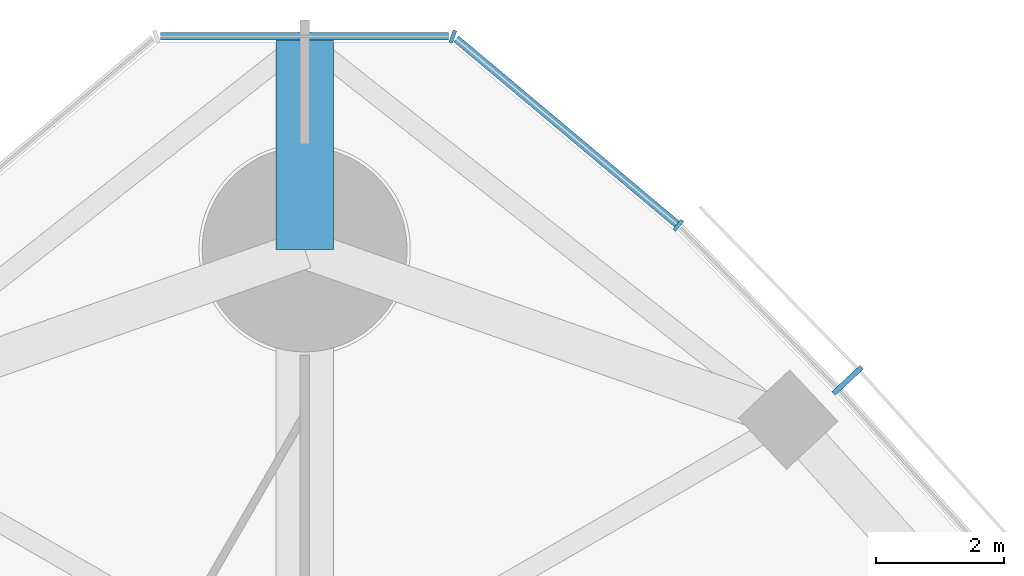
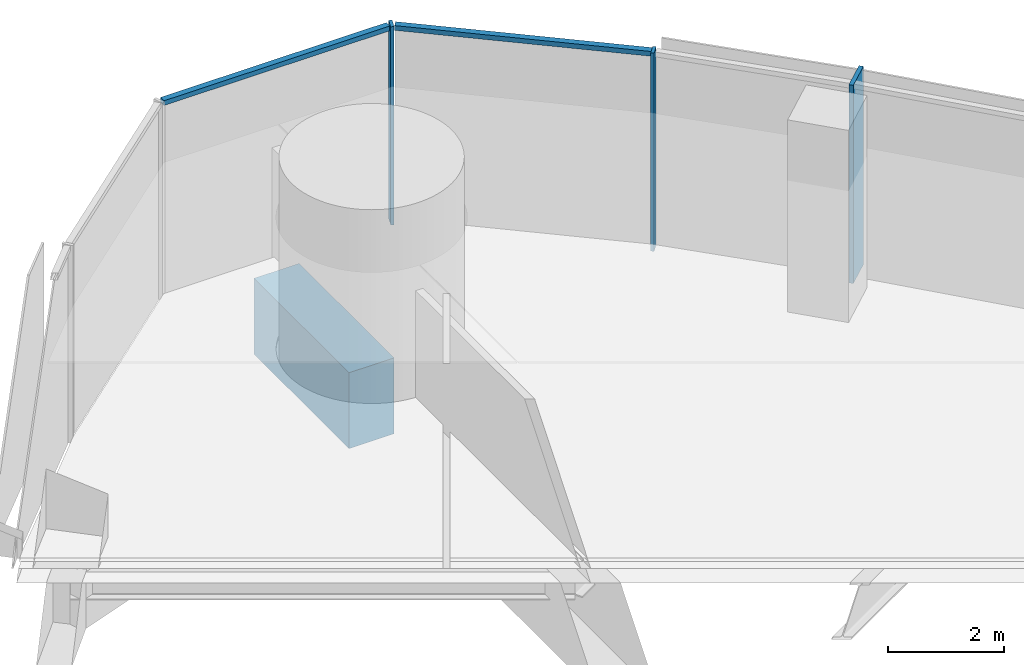
# One storey, part 8 of 19: 5 members, 1 beam, 2 elements without a shape of their own.
"""IFC4 building model written with IfcOpenShell, lengths in metres."""

from ifc_helpers import new_model, si_unit, direction, frame, origin, origin_2d, place, context, subcontext, project, spatial, rectangle, extrude, material, material_profile, profile_set, type_object, element, aggregate, save


model = new_model("IFC4")

# Units and contexts
model_context = context("Model", 3, precision=1e-05, world=origin(), true_north=direction((0.0, 1.0)))
body_context = subcontext(model_context, "Body", "Model", "MODEL_VIEW")
ifc_project = project(units=[si_unit("LENGTHUNIT", "METRE"), si_unit("AREAUNIT", "SQUARE_METRE"), si_unit("VOLUMEUNIT", "CUBIC_METRE"), si_unit("PLANEANGLEUNIT", "RADIAN"), si_unit("MASSUNIT", "GRAM", prefix="KILO")], contexts=[model_context])

# Site, building, storey
site_placement = place(None, origin())
site = spatial("IfcSite", under=ifc_project, at=site_placement, CompositionType="ELEMENT")
building_placement = place(site_placement, origin())
building = spatial("IfcBuilding", under=site, at=building_placement, Name="Trefoil Bronze Tower", CompositionType="ELEMENT")
storey_placement = place(building_placement, frame((0.0, 0.0, 223.300048828125)))
storey = spatial("IfcBuildingStorey", under=building, at=storey_placement, Name="L51", CompositionType="ELEMENT", Elevation=223.300048828125)

# Curtain wall, member
ifc_material_1 = material(Name="Tinted solar-control glass", Category="glass")
curtain_wall_type_1 = type_object("IfcCurtainWallType", Name="Bronze office curtain wall", PredefinedType="USERDEFINED", material=ifc_material_1)
curtain_wall_1_placement = place(storey_placement, origin())
curtain_wall_1 = element("IfcCurtainWall", 1, at=curtain_wall_1_placement, inside=storey, type_object=curtain_wall_type_1, Name="CW-A L51 F2", ObjectType="CURTAIN WALL", PredefinedType="USERDEFINED")
ifc_material_2 = material(Name="Bronze-finish aluminium", Category="aluminium")
ifc_material_profile_1 = material_profile(ifc_material_2, rectangle(XDim=0.60009765625, YDim=0.080078125, at=origin_2d()), Name="CW-A mullion")
ifc_profile_set_1 = profile_set([ifc_material_profile_1], Name="Bronze-finish aluminium")
member_type_1 = type_object("IfcMemberType", Name="Bronze office curtain wall mullion", PredefinedType="MULLION", material=ifc_profile_set_1)
member_1_placement = place(storey_placement, frame((8.482177734375, 30.95654296875, 0.0), z_axis=(0.0, 0.0, 1.0), x_axis=(-0.729859580661, -0.683597098091, 0.0)))
member_1 = element("IfcMember", 2, at=member_1_placement, type_object=member_type_1, Name="CW-A L51 F2 mullion 12", PredefinedType="MULLION", context=body_context, shape_type="SweptSolid", body=[
    extrude(rectangle(XDim=0.60009765625, YDim=0.080078125, at=origin_2d()), origin(), (0.0, 0.0, 1.0), 4.179931640625),
])
aggregate(curtain_wall_1, [member_1])

# Curtain wall, members
ifc_material_3 = material(Name="Tinted solar-control glass", Category="glass")
curtain_wall_type_2 = type_object("IfcCurtainWallType", Name="Bronze rounded corner curtain wall", PredefinedType="USERDEFINED", material=ifc_material_3)
curtain_wall_2_placement = place(storey_placement, origin())
curtain_wall_2 = element("IfcCurtainWall", 3, at=curtain_wall_2_placement, inside=storey, type_object=curtain_wall_type_2, Name="CW-B L51 K2", ObjectType="CURTAIN WALL", PredefinedType="USERDEFINED")
ifc_material_4 = material(Name="Bronze-finish aluminium", Category="aluminium")
ifc_material_profile_2 = material_profile(ifc_material_4, rectangle(XDim=0.199951171875, YDim=0.06005859375, at=origin_2d()), Name="CW-B mullion")
ifc_profile_set_2 = profile_set([ifc_material_profile_2], Name="Bronze-finish aluminium")
member_type_2 = type_object("IfcMemberType", Name="Bronze rounded corner curtain wall mullion", PredefinedType="MULLION", material=ifc_profile_set_2)
member_2_placement = place(storey_placement, frame((5.837890625, 33.3779296875, 0.0), z_axis=(0.0, 0.0, 1.0), x_axis=(-0.642787609687, -0.766044443119, 0.0)))
member_2 = element("IfcMember", 4, at=member_2_placement, type_object=member_type_2, Name="CW-B L51 K2 mullion 1", PredefinedType="MULLION", context=body_context, shape_type="SweptSolid", body=[
    extrude(rectangle(XDim=0.199951171875, YDim=0.06005859375, at=origin_2d()), origin(), (0.0, 0.0, 1.0), 4.179931640625),
])
member_3_placement = place(storey_placement, frame((2.314453125, 36.326416015625, 0.0), z_axis=(0.0, 0.0, 1.0), x_axis=(-0.342020143326, -0.939692620786, 0.0)))
member_3 = element("IfcMember", 5, at=member_3_placement, type_object=member_type_2, Name="CW-B L51 K2 mullion 2", PredefinedType="MULLION", context=body_context, shape_type="SweptSolid", body=[
    extrude(rectangle(XDim=0.199951171875, YDim=0.06005859375, at=origin_2d()), origin(), (0.0, 0.0, 1.0), 4.179931640625),
])
ifc_material_5 = material(Name="Bronze-finish aluminium", Category="aluminium")
ifc_material_profile_3 = material_profile(ifc_material_5, rectangle(XDim=0.1201171875, YDim=0.10009765625, at=origin_2d()), Name="CW-B transom")
ifc_profile_set_3 = profile_set([ifc_material_profile_3], Name="Bronze-finish aluminium")
member_type_3 = type_object("IfcMemberType", Name="Bronze rounded corner curtain wall transom", PredefinedType="USERDEFINED", material=ifc_profile_set_3)
member_4_placement = place(storey_placement, frame((5.814697265625, 33.397216796875, 4.1298828125), z_axis=(-0.766046761698, 0.642784846501, 0.0), x_axis=(-0.642784846501, -0.766046761698, 0.0)))
member_4 = element("IfcMember", 6, at=member_4_placement, type_object=member_type_3, Name="CW-B L51 K2 transom 1", ObjectType="TRANSOM", PredefinedType="USERDEFINED", context=body_context, shape_type="SweptSolid", body=[
    extrude(rectangle(XDim=0.1201171875, YDim=0.10009765625, at=origin_2d()), origin(), (0.0, 0.0, 1.0), 4.5),
])
member_5_placement = place(storey_placement, frame((2.250244140625, 36.33251953125, 4.1298828125), z_axis=(-1.0, 0.0, 0.0), x_axis=(0.0, -1.0, 0.0)))
member_5 = element("IfcMember", 7, at=member_5_placement, type_object=member_type_3, Name="CW-B L51 K2 transom 2", ObjectType="TRANSOM", PredefinedType="USERDEFINED", context=body_context, shape_type="SweptSolid", body=[
    extrude(rectangle(XDim=0.1201171875, YDim=0.10009765625, at=origin_2d()), origin(), (0.0, 0.0, 1.0), 4.50048828125),
])
aggregate(curtain_wall_2, [member_2, member_3, member_4, member_5])

# Beam
ifc_material_6 = material(Name="Concrete B80", Category="concrete")
ifc_material_profile_4 = material_profile(ifc_material_6, rectangle(XDim=0.89990234375, YDim=1.60009765625, at=origin_2d()), Name="RC 900x1600")
ifc_profile_set_4 = profile_set([ifc_material_profile_4], Name="Concrete B80")
beam_type = type_object("IfcBeamType", Name="Corner cantilever RC 900x1600", PredefinedType="BEAM", material=ifc_profile_set_4)
beam_placement = place(storey_placement, frame((0.0, 33.0, -1.0), z_axis=(0.0, 1.0, 0.0), x_axis=(-1.0, 0.0, 0.0)))
element("IfcBeam", 8, at=beam_placement, inside=storey, type_object=beam_type, Name="Corner cantilever K2 L51", PredefinedType="BEAM", context=body_context, shape_type="SweptSolid", body=[
    extrude(rectangle(XDim=0.89990234375, YDim=1.60009765625, at=origin_2d()), origin(), (0.0, 0.0, 1.0), 3.28466796875),
])

save(model, "model.ifc")
